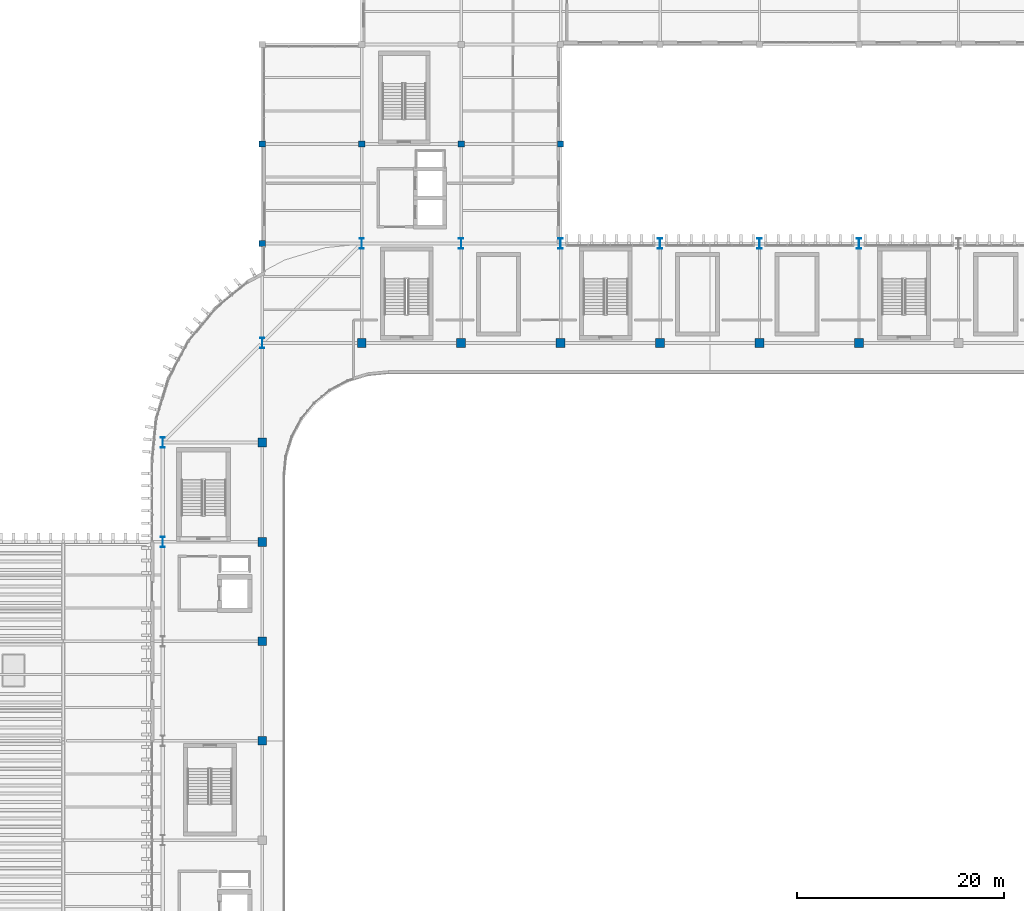
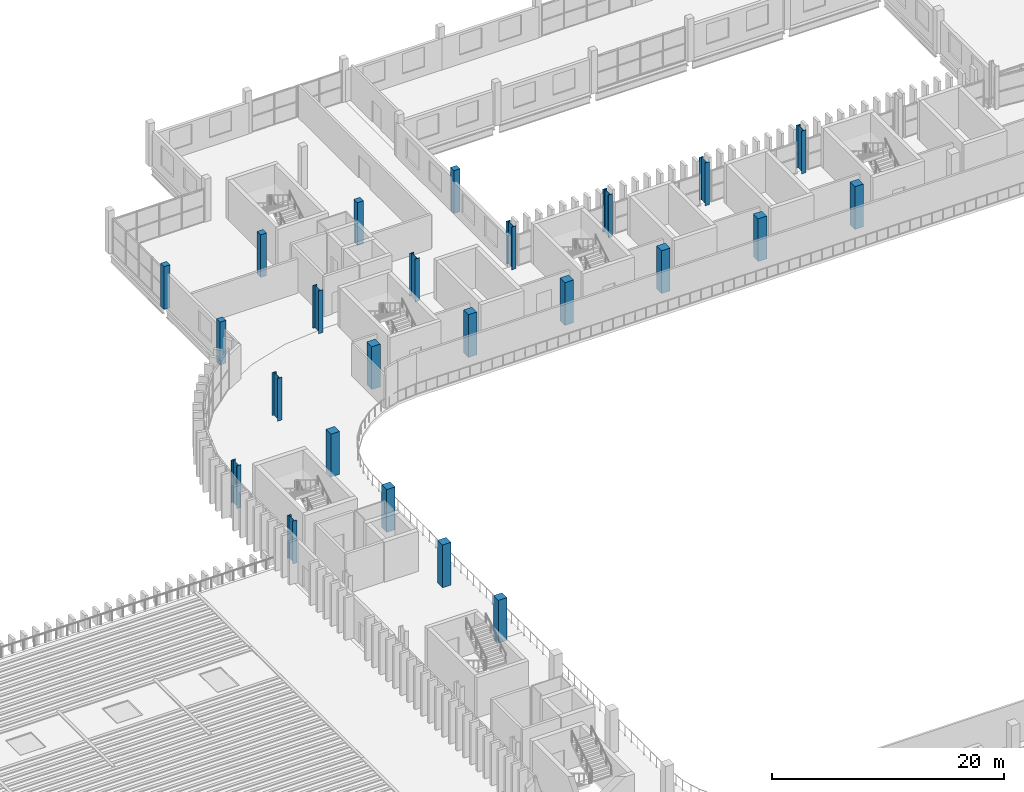
# One storey, part 2 of 92: 24 columns.
"""IFC4 building model written with IfcOpenShell, lengths in metres."""

from ifc_helpers import new_model, si_unit, direction, frame, origin, origin_2d, place, context, subcontext, project, spatial, rectangle, i_section, extrude, material, material_profile, profile_set, type_object, element, save


model = new_model("IFC4")

# Units and contexts
model_context = context("Model", 3, precision=1e-05, world=origin(), true_north=direction((0.0, 1.0)))
body_context = subcontext(model_context, "Body", "Model", "MODEL_VIEW")
ifc_project = project(units=[si_unit("LENGTHUNIT", "METRE"), si_unit("AREAUNIT", "SQUARE_METRE"), si_unit("VOLUMEUNIT", "CUBIC_METRE"), si_unit("PLANEANGLEUNIT", "RADIAN"), si_unit("MASSUNIT", "GRAM", prefix="KILO")], contexts=[model_context])

# Site, building, storey
site_placement = place(None, origin())
site = spatial("IfcSite", under=ifc_project, at=site_placement, CompositionType="ELEMENT")
building_placement = place(site_placement, origin())
building = spatial("IfcBuilding", under=site, at=building_placement, Name="Caelomonte Colonnade Arena", CompositionType="ELEMENT")
storey_placement = place(building_placement, frame((0.0, 0.0, 9.60009765625)))
storey = spatial("IfcBuildingStorey", under=building, at=storey_placement, Name="L02", CompositionType="ELEMENT", Elevation=9.60009765625)

# Columns
ifc_material_1 = material(Name="Concrete C40/50", Category="concrete")
ifc_material_profile_1 = material_profile(ifc_material_1, rectangle(XDim=0.60009765625, YDim=0.60009765625, at=origin_2d()), Name="RC600X600")
ifc_profile_set_1 = profile_set([ifc_material_profile_1], Name="Concrete C40/50")
column_type_1 = type_object("IfcColumnType", Name="STR-COL-RC06", PredefinedType="COLUMN", material=ifc_profile_set_1)
for number, where, z_axis, x_axis, name in (
    (1, (67.199951171875, 115.199951171875, 0.0), (0.0, 0.0, 1.0), (1.0, 0.0, 0.0), "L02 column (67.2, 115.2)"),
    (2, (67.199951171875, 124.800048828125, 0.0), (0.0, 0.0, 1.0), (1.0, 0.0, 0.0), "L02 column (67.2, 124.8)"),
    (3, (76.800048828125, 124.800048828125, 0.0), (0.0, 0.0, 1.0), (1.0, 0.0, 0.0), "L02 column (76.8, 124.8)"),
    (4, (86.39990234375, 124.800048828125, 0.0), (0.0, 0.0, 1.0), (1.0, 0.0, 0.0), "L02 column (86.4, 124.8)"),
    (5, (96.0, 124.800048828125, 0.0), (0.0, 0.0, 1.0), (1.0, 0.0, 0.0), "L02 column (96.0, 124.8)"),
):
    element("IfcColumn", number, at=place(storey_placement, frame(where, z_axis=z_axis, x_axis=x_axis)), inside=storey, type_object=column_type_1, Name=name, PredefinedType="COLUMN", context=body_context, shape_type="SweptSolid", body=[
        extrude(rectangle(XDim=0.60009765625, YDim=0.60009765625, at=origin_2d()), origin(), (0.0, 0.0, 1.0), 4.5),
    ])
ifc_material_2 = material(Name="Concrete C50/60", Category="concrete")
ifc_material_profile_2 = material_profile(ifc_material_2, rectangle(XDim=0.85009765625, YDim=0.85009765625, at=origin_2d()), Name="RC850X850")
ifc_profile_set_2 = profile_set([ifc_material_profile_2], Name="Concrete C50/60")
column_type_2 = type_object("IfcColumnType", Name="STR-COL-RC85", PredefinedType="COLUMN", material=ifc_profile_set_2)
for number, where, z_axis, x_axis, name in (
    (6, (67.199951171875, 67.199951171875, 0.0), (0.0, 0.0, 1.0), (1.0, 0.0, 0.0), "L02 column (67.2, 67.2)"),
    (7, (67.199951171875, 76.800048828125, 0.0), (0.0, 0.0, 1.0), (1.0, 0.0, 0.0), "L02 column (67.2, 76.8)"),
    (8, (67.199951171875, 86.39990234375, 0.0), (0.0, 0.0, 1.0), (1.0, 0.0, 0.0), "L02 column (67.2, 86.4)"),
    (9, (67.199951171875, 96.0, 0.0), (0.0, 0.0, 1.0), (1.0, 0.0, 0.0), "L02 column (67.2, 96.0)"),
    (10, (76.800048828125, 105.60009765625, 0.0), (0.0, 0.0, 1.0), (1.0, 0.0, 0.0), "L02 column (76.8, 105.6)"),
    (11, (86.39990234375, 105.60009765625, 0.0), (0.0, 0.0, 1.0), (1.0, 0.0, 0.0), "L02 column (86.4, 105.6)"),
    (12, (96.0, 105.60009765625, 0.0), (0.0, 0.0, 1.0), (1.0, 0.0, 0.0), "L02 column (96.0, 105.6)"),
    (13, (105.60009765625, 105.60009765625, 0.0), (0.0, 0.0, 1.0), (1.0, 0.0, 0.0), "L02 column (105.6, 105.6)"),
    (14, (115.199951171875, 105.60009765625, 0.0), (0.0, 0.0, 1.0), (1.0, 0.0, 0.0), "L02 column (115.2, 105.6)"),
    (15, (124.800048828125, 105.60009765625, 0.0), (0.0, 0.0, 1.0), (1.0, 0.0, 0.0), "L02 column (124.8, 105.6)"),
):
    element("IfcColumn", number, at=place(storey_placement, frame(where, z_axis=z_axis, x_axis=x_axis)), inside=storey, type_object=column_type_2, Name=name, PredefinedType="COLUMN", context=body_context, shape_type="SweptSolid", body=[
        extrude(rectangle(XDim=0.85009765625, YDim=0.85009765625, at=origin_2d()), origin(), (0.0, 0.0, 1.0), 4.5),
    ])
ifc_material_3 = material(Name="Wide-flange steel ASTM A992 Grade 50", Category="steel")
ifc_material_profile_3 = material_profile(ifc_material_3, i_section(OverallWidth=0.419189453125, OverallDepth=1.010986328125, WebThickness=0.023681640625, FlangeThickness=0.0419921875, FilletRadius=0.030517578125, at=origin_2d()), Name="W40X297")
ifc_profile_set_3 = profile_set([ifc_material_profile_3], Name="Wide-flange steel ASTM A992 Grade 50")
column_type_3 = type_object("IfcColumnType", Name="STR-COL-W40B", PredefinedType="COLUMN", material=ifc_profile_set_3)
for number, where, z_axis, x_axis, name in (
    (16, (57.60009765625, 86.39990234375, 0.0), (0.0, 0.0, 1.0), (1.0, 0.0, 0.0), "L02 column (57.6, 86.4)"),
    (17, (57.60009765625, 96.0, 0.0), (0.0, 0.0, 1.0), (1.0, 0.0, 0.0), "L02 column (57.6, 96.0)"),
    (18, (67.199951171875, 105.60009765625, 0.0), (0.0, 0.0, 1.0), (1.0, 0.0, 0.0), "L02 column (67.2, 105.6)"),
    (19, (76.800048828125, 115.199951171875, 0.0), (0.0, 0.0, 1.0), (1.0, 0.0, 0.0), "L02 column (76.8, 115.2)"),
    (20, (86.39990234375, 115.199951171875, 0.0), (0.0, 0.0, 1.0), (1.0, 0.0, 0.0), "L02 column (86.4, 115.2)"),
    (21, (96.0, 115.199951171875, 0.0), (0.0, 0.0, 1.0), (1.0, 0.0, 0.0), "L02 column (96.0, 115.2)"),
    (22, (105.60009765625, 115.199951171875, 0.0), (0.0, 0.0, 1.0), (1.0, 0.0, 0.0), "L02 column (105.6, 115.2)"),
    (23, (115.199951171875, 115.199951171875, 0.0), (0.0, 0.0, 1.0), (1.0, 0.0, 0.0), "L02 column (115.2, 115.2)"),
    (24, (124.800048828125, 115.199951171875, 0.0), (0.0, 0.0, 1.0), (1.0, 0.0, 0.0), "L02 column (124.8, 115.2)"),
):
    element("IfcColumn", number, at=place(storey_placement, frame(where, z_axis=z_axis, x_axis=x_axis)), inside=storey, type_object=column_type_3, Name=name, PredefinedType="COLUMN", context=body_context, shape_type="SweptSolid", body=[
        extrude(i_section(OverallWidth=0.419189453125, OverallDepth=1.010986328125, WebThickness=0.023681640625, FlangeThickness=0.0419921875, FilletRadius=0.030517578125, at=origin_2d()), origin(), (0.0, 0.0, 1.0), 4.5),
    ])

save(model, "model.ifc")
